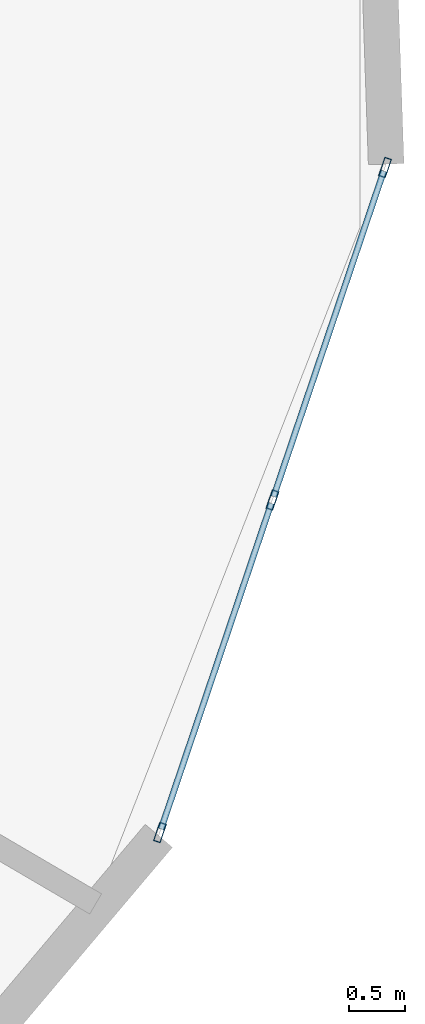
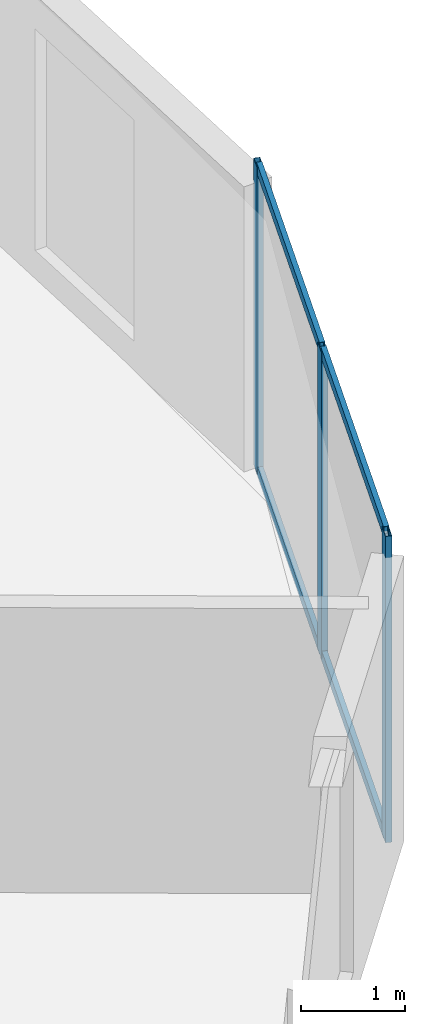
# One storey, part 11 of 25: 7 members, 1 element without a shape of its own.
"""IFC4 building model written with IfcOpenShell, lengths in metres."""

from ifc_helpers import new_model, si_unit, direction, frame, origin, origin_2d, place, context, subcontext, project, spatial, hollow_rectangle, extrude, source, transform, mapped, material, layer, layer_set, material_profile, profile_set, type_object, element, aggregate, save


model = new_model("IFC4")

# Units and contexts
model_context = context("Model", 3, precision=1e-05, world=origin(), true_north=direction((0.0, 1.0)))
body_context = subcontext(model_context, "Body", "Model", "MODEL_VIEW")
ifc_project = project(units=[si_unit("LENGTHUNIT", "METRE"), si_unit("AREAUNIT", "SQUARE_METRE"), si_unit("VOLUMEUNIT", "CUBIC_METRE"), si_unit("PLANEANGLEUNIT", "RADIAN"), si_unit("MASSUNIT", "GRAM", prefix="KILO")], contexts=[model_context])

# Site, building, storey
site_placement = place(None, origin())
site = spatial("IfcSite", under=ifc_project, at=site_placement, CompositionType="ELEMENT")
building_placement = place(site_placement, origin())
building = spatial("IfcBuilding", under=site, at=building_placement, Name="Solvirekh Grand Hotel", CompositionType="ELEMENT")
storey_placement = place(building_placement, frame((0.0, 0.0, 106.199951171875)))
storey = spatial("IfcBuildingStorey", under=building, at=storey_placement, Name="L26", CompositionType="ELEMENT", Elevation=106.199951171875)

# Curtain wall, members
ifc_material = material(Name="Anodized Bronze Aluminium 6063-T6", Category="aluminium")
ifc_layer = layer(ifc_material, 0.175048828125)
ifc_layer_set = layer_set([ifc_layer], Name="Anodized Bronze Aluminium 6063-T6")
curtain_wall_type = type_object("IfcCurtainWallType", Name="CW_Sys3_MidZoneFlushBronzeCW", PredefinedType="NOTDEFINED", material=ifc_layer_set)
curtain_wall_placement = place(storey_placement, origin())
curtain_wall = element("IfcCurtainWall", 1, at=curtain_wall_placement, inside=storey, type_object=curtain_wall_type, Name="L26 unitised bronze-glass curtain wall CW-L26-C01", PredefinedType="NOTDEFINED")
ifc_material_profile_1 = material_profile(ifc_material, hollow_rectangle(XDim=0.054931640625, YDim=0.1201171875, WallThickness=0.00390625, at=origin_2d()), Name="ALU RHS 120X55X4")
ifc_profile_set_1 = profile_set([ifc_material_profile_1], Name="Anodized Bronze Aluminium 6063-T6")
member_type_1 = type_object("IfcMemberType", Name="CWTransom_Sys3", PredefinedType="USERDEFINED", material=ifc_profile_set_1)
shared_shape_1 = source(origin(), body_context, "Body", "SweptSolid", [
    extrude(hollow_rectangle(XDim=0.054931640625, YDim=0.1201171875, WallThickness=0.00390625, at=origin_2d()), origin(), (0.0, 0.0, 1.0), 3.087158203125),
])
member_1_placement = place(storey_placement, frame((22.289794921875, -11.857421875, 0.027587890625), z_axis=(0.320613640642, 0.947210057714, 0.0), x_axis=(-0.947210057714, 0.320613640642, 0.0)))
member_1 = element("IfcMember", 2, at=member_1_placement, type_object=member_type_1, Name="U03 transom 1.1", ObjectType="TRANSOM", PredefinedType="USERDEFINED", context=body_context, shape_type="MappedRepresentation", body=[
    mapped(shared_shape_1, transform((0.0, 0.0, 0.0), x_axis=(1.0, 0.0, 0.0), y_axis=(0.0, 1.0, 0.0), z_axis=(0.0, 0.0, 1.0), scale=1.0)),
])
member_2_placement = place(storey_placement, frame((22.289794921875, -11.857421875, 3.572509765625), z_axis=(0.320613640642, 0.947210057714, 0.0), x_axis=(-0.947210057714, 0.320613640642, 0.0)))
member_2 = element("IfcMember", 3, at=member_2_placement, type_object=member_type_1, Name="U03 transom 1.2", ObjectType="TRANSOM", PredefinedType="USERDEFINED", context=body_context, shape_type="MappedRepresentation", body=[
    mapped(shared_shape_1, transform((0.0, 0.0, 0.0), x_axis=(1.0, 0.0, 0.0), y_axis=(0.0, 1.0, 0.0), z_axis=(0.0, 0.0, 1.0), scale=1.0)),
])
member_3_placement = place(storey_placement, frame((23.300537109375, -8.871826171875, 0.027587890625), z_axis=(0.320518670024, 0.947242198261, 0.0), x_axis=(-0.947242198261, 0.320518670024, 0.0)))
member_3 = element("IfcMember", 4, at=member_3_placement, type_object=member_type_1, Name="U03 transom 2.1", ObjectType="TRANSOM", PredefinedType="USERDEFINED", context=body_context, shape_type="MappedRepresentation", body=[
    mapped(shared_shape_1, transform((0.0, 0.0, 0.0), x_axis=(1.0, 0.0, 0.0), y_axis=(0.0, 1.0, 0.0), z_axis=(0.0, 0.0, 1.0), scale=1.0)),
])
member_4_placement = place(storey_placement, frame((23.300537109375, -8.871826171875, 3.572509765625), z_axis=(0.320518670024, 0.947242198261, 0.0), x_axis=(-0.947242198261, 0.320518670024, 0.0)))
member_4 = element("IfcMember", 5, at=member_4_placement, type_object=member_type_1, Name="U03 transom 2.2", ObjectType="TRANSOM", PredefinedType="USERDEFINED", context=body_context, shape_type="MappedRepresentation", body=[
    mapped(shared_shape_1, transform((0.0, 0.0, 0.0), x_axis=(1.0, 0.0, 0.0), y_axis=(0.0, 1.0, 0.0), z_axis=(0.0, 0.0, 1.0), scale=1.0)),
])
ifc_material_profile_2 = material_profile(ifc_material, hollow_rectangle(XDim=0.06494140625, YDim=0.175048828125, WallThickness=0.0048828125, at=origin_2d()), Name="ALU RHS 175X65X5")
ifc_profile_set_2 = profile_set([ifc_material_profile_2], Name="Anodized Bronze Aluminium 6063-T6")
member_type_2 = type_object("IfcMemberType", Name="CWMullion_Sys3", PredefinedType="MULLION", material=ifc_profile_set_2)
shared_shape_2 = source(origin(), body_context, "Body", "SweptSolid", [
    extrude(hollow_rectangle(XDim=0.06494140625, YDim=0.175048828125, WallThickness=0.0048828125, at=origin_2d()), origin(), (0.0, 0.0, 1.0), 3.60009765625),
])
member_5_placement = place(storey_placement, frame((22.279541015625, -11.88818359375, 0.0), z_axis=(0.0, 0.0, 1.0), x_axis=(-0.947213035477, 0.320604843106, 0.0)))
member_5 = element("IfcMember", 6, at=member_5_placement, type_object=member_type_2, Name="U03 mullion 1", PredefinedType="MULLION", context=body_context, shape_type="MappedRepresentation", body=[
    mapped(shared_shape_2, transform((0.0, 0.0, 0.0), x_axis=(1.0, 0.0, 0.0), y_axis=(0.0, 1.0, 0.0), z_axis=(0.0, 0.0, 1.0), scale=1.0)),
])
member_6_placement = place(storey_placement, frame((23.2900390625, -8.902587890625, 0.0), z_axis=(0.0, 0.0, 1.0), x_axis=(-0.947213035477, 0.320604843106, 0.0)))
member_6 = element("IfcMember", 7, at=member_6_placement, type_object=member_type_2, Name="U03 mullion 2", PredefinedType="MULLION", context=body_context, shape_type="MappedRepresentation", body=[
    mapped(shared_shape_2, transform((0.0, 0.0, 0.0), x_axis=(1.0, 0.0, 0.0), y_axis=(0.0, 1.0, 0.0), z_axis=(0.0, 0.0, 1.0), scale=1.0)),
])
member_7_placement = place(storey_placement, frame((24.300537109375, -5.916748046875, 0.0), z_axis=(0.0, 0.0, 1.0), x_axis=(-0.947213035477, 0.320604843106, 0.0)))
member_7 = element("IfcMember", 8, at=member_7_placement, type_object=member_type_2, Name="U03 mullion 3", PredefinedType="MULLION", context=body_context, shape_type="MappedRepresentation", body=[
    mapped(shared_shape_2, transform((0.0, 0.0, 0.0), x_axis=(1.0, 0.0, 0.0), y_axis=(0.0, 1.0, 0.0), z_axis=(0.0, 0.0, 1.0), scale=1.0)),
])
aggregate(curtain_wall, [member_5, member_6, member_7, member_1, member_2, member_3, member_4])

save(model, "model.ifc")
